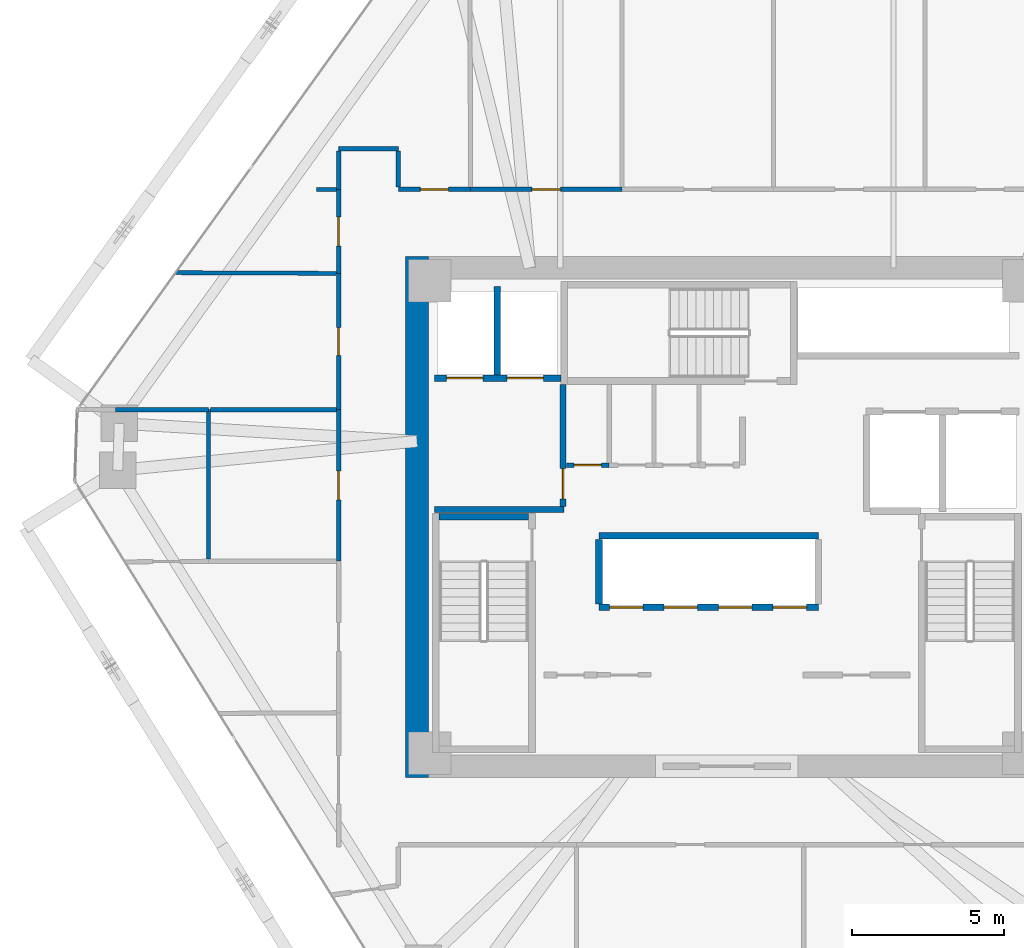
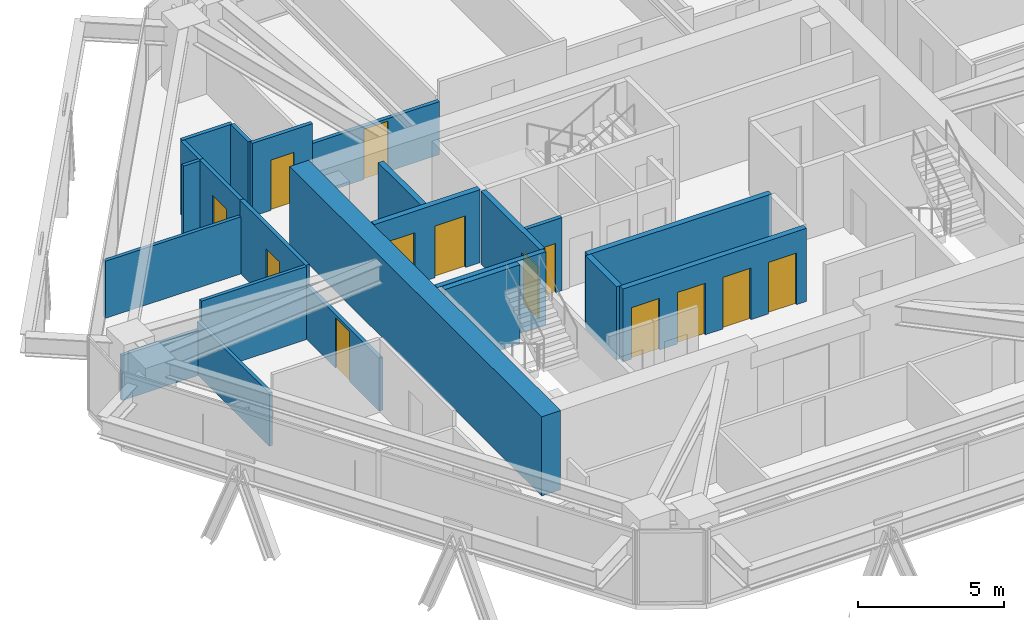
# One storey, part 13 of 16: 23 walls, 13 doors, 13 openings.
"""IFC4 building model written with IfcOpenShell, lengths in metres."""

from ifc_helpers import new_model, si_unit, direction, frame, frame_2d, origin, place, context, subcontext, project, spatial, rectangle, extrude, source, transform, mapped, material, layer, layer_set, type_object, type_shapes, element, fill, save


model = new_model("IFC4")

# Units and contexts
model_context = context("Model", 3, precision=1e-05, world=origin(), true_north=direction((0.0, 1.0)))
body_context = subcontext(model_context, "Body", "Model", "MODEL_VIEW")
ifc_project = project(units=[si_unit("LENGTHUNIT", "METRE"), si_unit("AREAUNIT", "SQUARE_METRE"), si_unit("VOLUMEUNIT", "CUBIC_METRE"), si_unit("PLANEANGLEUNIT", "RADIAN"), si_unit("MASSUNIT", "GRAM", prefix="KILO")], contexts=[model_context])

# Site, building, storey
site_placement = place(None, origin())
site = spatial("IfcSite", under=ifc_project, at=site_placement, CompositionType="ELEMENT")
building_placement = place(site_placement, origin())
building = spatial("IfcBuilding", under=site, at=building_placement, Name="Durnholm Broadcast Tower", CompositionType="ELEMENT")
storey_placement = place(building_placement, frame((0.0, 0.0, 123.89990234375)))
storey = spatial("IfcBuildingStorey", under=building, at=storey_placement, Name="L33", CompositionType="ELEMENT", Elevation=123.89990234375)

# Walls
ifc_material_1 = material(Name="Concrete C70/85", Category="concrete")
ifc_layer_1 = layer(ifc_material_1, 0.75)
ifc_layer_set_1 = layer_set([ifc_layer_1], Name="Concrete C70/85")
wall_type_1 = type_object("IfcWallType", Name="WALL-CW-750", PredefinedType="SHEAR", material=ifc_layer_set_1)
wall_1_placement = place(storey_placement, frame((-10.22509765625, -8.60009765625, 0.0), z_axis=(0.0, 0.0, 1.0), x_axis=(0.0, 1.0, 0.0)))
element("IfcWall", 1, at=wall_1_placement, inside=storey, type_object=wall_type_1, Name="L33 central core shear wall CW-WEST", PredefinedType="SHEAR", context=body_context, shape_type="SweptSolid", body=[
    extrude(rectangle(XDim=17.2001953125, YDim=0.75, at=frame_2d((8.60009765625, 0.0))), origin(), (0.0, 0.0, 1.0), 3.300048828125),
])
ifc_material_2 = material(Name="Fire-Rated Gypsum Shaftwall", Category="concrete")
ifc_layer_2 = layer(ifc_material_2, 0.199951171875)
ifc_layer_set_2 = layer_set([ifc_layer_2], Name="Fire-Rated Gypsum Shaftwall")
wall_type_2 = type_object("IfcWallType", Name="WALL-LOB-200", PredefinedType="SOLIDWALL", material=ifc_layer_set_2)
wall_2_placement = place(storey_placement, frame((-9.64990234375, 0.25, 0.0), z_axis=(0.0, 0.0, 1.0), x_axis=(1.0, 0.0, 0.0)))
element("IfcWall", 2, at=wall_2_placement, inside=storey, type_object=wall_type_2, Name="L33 Fire Service Access Elevator lobby south wall", PredefinedType="SOLIDWALL", context=body_context, shape_type="SweptSolid", body=[
    extrude(rectangle(XDim=4.27001953125, YDim=0.199951171875, at=frame_2d((2.135009765625, 0.0))), origin(), (0.0, 0.0, 1.0), 3.045166015625),
])

# Wall, opening, door
wall_3_placement = place(storey_placement, frame((-5.39990234375, 0.35400390625, 0.0), z_axis=(0.0, 0.0, 1.0), x_axis=(0.0, 1.0, 0.0)))
wall_3 = element("IfcWall", 3, at=wall_3_placement, inside=storey, type_object=wall_type_2, Name="L33 Fire Service Access Elevator lobby east fire wall", PredefinedType="SOLIDWALL", context=body_context, shape_type="SweptSolid", body=[
    extrude(rectangle(XDim=4.02587890625, YDim=0.199951171875, at=frame_2d((2.012939453125, 0.0))), origin(), (0.0, 0.0, 1.0), 3.045166015625),
])
opening_1_placement = place(wall_3_placement, frame((0.24609375, 0.0, 0.0)))
opening_1 = element("IfcOpeningElement", 4, at=opening_1_placement, cuts=wall_3, Name="Opening DL-60R", PredefinedType="OPENING", context=body_context, shape_type="SweptSolid", body=[
    extrude(rectangle(XDim=1.0, YDim=2.14990234375, at=frame_2d((0.5, 1.074951171875))), frame((0.0, 0.10986328125, 0.0), z_axis=(0.0, -1.0, 0.0), x_axis=(1.0, 0.0, 0.0)), (0.0, 0.0, 1.0), 0.219970703125),
])
ifc_material_3 = material(Name="Fire-Rated Timber/Steel Door", Category="steel")
ifc_layer_3 = layer(ifc_material_3, 0.050048828125)
ifc_layer_set_3 = layer_set([ifc_layer_3], Name="Fire-Rated Timber/Steel Door")
door_type_1 = type_object("IfcDoorType", Name="DOOR-LOB-FD60-R", OperationType="NOTDEFINED", PredefinedType="DOOR", material=ifc_layer_set_3)
shared_shape_1 = source(origin(), body_context, "Body", "SweptSolid", [
    extrude(rectangle(XDim=1.0, YDim=2.14990234375, at=frame_2d((0.5, 1.074951171875))), frame((0.0, 0.02490234375, 0.0), z_axis=(0.0, -1.0, 0.0), x_axis=(1.0, 0.0, 0.0)), (0.0, 0.0, 1.0), 0.050048828125),
])
type_shapes(door_type_1, [shared_shape_1])
door_1_placement = place(opening_1_placement, origin())
door_1 = element("IfcDoor", 5, at=door_1_placement, inside=storey, type_object=door_type_1, Name="L33 Fire Service Access Elevator lobby smoke door", OperationType="SINGLE_SWING_RIGHT", OverallHeight=2.14990234375, OverallWidth=1.0, PredefinedType="DOOR", context=body_context, shape_type="MappedRepresentation", body=[
    mapped(shared_shape_1, transform((0.0, 0.0, 0.0), x_axis=(1.0, 0.0, 0.0), y_axis=(0.0, 1.0, 0.0), z_axis=(0.0, 0.0, 1.0), scale=1.0)),
])
fill(opening_1, door_1)

# Walls
ifc_material_4 = material(Name="Gypsum Metal Stud Partition", Category="concrete")
ifc_layer_4 = layer(ifc_material_4, 0.135009765625)
ifc_layer_set_4 = layer_set([ifc_layer_4], Name="Gypsum Metal Stud Partition")
wall_type_3 = type_object("IfcWallType", Name="WALL-PART-135", PredefinedType="PARTITIONING", material=ifc_layer_set_4)
wall_4_placement = place(storey_placement, frame((-12.888916015625, 10.81005859375, 0.0), z_axis=(0.0, 0.0, 1.0), x_axis=(-1.0, 0.0, 0.0)))
element("IfcWall", 6, at=wall_4_placement, inside=storey, type_object=wall_type_3, Name="L33 room dividing partition 11.26", PredefinedType="PARTITIONING", context=body_context, shape_type="SweptSolid", body=[
    extrude(rectangle(XDim=0.651123046875, YDim=0.135009765625, at=frame_2d((0.32568359375, 0.0))), origin(), (0.0, 0.0, 1.0), 3.045166015625),
])
wall_5_placement = place(storey_placement, frame((-17.10302734375, 3.5400390625, 0.0), z_axis=(0.0, 0.0, 1.0), x_axis=(0.0, -1.0, 0.0)))
element("IfcWall", 7, at=wall_5_placement, inside=storey, type_object=wall_type_3, Name="L33 room dividing partition 23.24", PredefinedType="PARTITIONING", context=body_context, shape_type="SweptSolid", body=[
    extrude(rectangle(XDim=4.928466796875, YDim=0.135009765625, at=frame_2d((2.46435546875, 0.0))), origin(), (0.0, 0.0, 1.0), 2.212158203125),
])
wall_6_placement = place(storey_placement, frame((-20.175048828125, 3.541015625, 0.0), z_axis=(0.0, 0.0, 1.0), x_axis=(0.999999949473, -0.0003178892, 0.0)))
element("IfcWall", 8, at=wall_6_placement, inside=storey, type_object=wall_type_3, Name="L33 room dividing partition 23.25", PredefinedType="PARTITIONING", context=body_context, shape_type="SweptSolid", body=[
    extrude(rectangle(XDim=3.072021484375, YDim=0.135009765625, at=frame_2d((1.5361328125, 0.0))), origin(), (0.0, 0.0, 1.0), 1.877197265625),
])
wall_7_placement = place(storey_placement, frame((-17.031494140625, 3.5400390625, 0.0), z_axis=(0.0, 0.0, 1.0), x_axis=(1.0, 0.0, 0.0)))
element("IfcWall", 9, at=wall_7_placement, inside=storey, type_object=wall_type_3, Name="L33 room dividing partition 24.25", PredefinedType="PARTITIONING", context=body_context, shape_type="SweptSolid", body=[
    extrude(rectangle(XDim=4.142578125, YDim=0.135009765625, at=frame_2d((2.0712890625, 0.0))), origin(), (0.0, 0.0, 1.0), 3.045166015625),
])
wall_8_placement = place(storey_placement, frame((-18.201904296875, 8.063232421875, 0.0), z_axis=(0.0, 0.0, 1.0), x_axis=(0.999990671281, -0.004319415637, 0.0)))
element("IfcWall", 10, at=wall_8_placement, inside=storey, type_object=wall_type_3, Name="L33 room dividing partition 25.26", PredefinedType="PARTITIONING", context=body_context, shape_type="SweptSolid", body=[
    extrude(rectangle(XDim=5.31298828125, YDim=0.135009765625, at=frame_2d((2.656494140625, 0.0))), origin(), (0.0, 0.0, 1.0), 2.380126953125),
])

# Wall, opening, door
ifc_material_5 = material(Name="Acoustic Gypsum Stud Partition", Category="concrete")
ifc_layer_5 = layer(ifc_material_5, 0.14990234375)
ifc_layer_set_5 = layer_set([ifc_layer_5], Name="Acoustic Gypsum Stud Partition")
wall_type_4 = type_object("IfcWallType", Name="WALL-PART-150", PredefinedType="PARTITIONING", material=ifc_layer_set_5)
wall_9_placement = place(storey_placement, frame((-3.8798828125, 1.7099609375, 0.0), z_axis=(0.0, 0.0, 1.0), x_axis=(-1.0, 0.0, 0.0)))
wall_9 = element("IfcWall", 11, at=wall_9_placement, inside=storey, type_object=wall_type_4, Name="L33 Core First Aid Store corridor partition", PredefinedType="PARTITIONING", context=body_context, shape_type="SweptSolid", body=[
    extrude(rectangle(XDim=1.416015625, YDim=0.14990234375, at=frame_2d((0.7080078125, 0.0))), origin(), (0.0, 0.0, 1.0), 3.045166015625),
])
opening_2_placement = place(wall_9_placement, frame((0.258056640625, 0.0, 0.0)))
opening_2 = element("IfcOpeningElement", 12, at=opening_2_placement, cuts=wall_9, Name="Opening DC-60L", PredefinedType="OPENING", context=body_context, shape_type="SweptSolid", body=[
    extrude(rectangle(XDim=0.89990234375, YDim=2.050048828125, at=frame_2d((0.449951171875, 1.02490234375))), frame((0.0, 0.0849609375, 0.0), z_axis=(0.0, -1.0, 0.0), x_axis=(1.0, 0.0, 0.0)), (0.0, 0.0, 1.0), 0.169921875),
])
ifc_material_6 = material(Name="Fire-Rated Core Service Door", Category="steel")
ifc_layer_6 = layer(ifc_material_6, 0.050048828125)
ifc_layer_set_6 = layer_set([ifc_layer_6], Name="Fire-Rated Core Service Door")
door_type_2 = type_object("IfcDoorType", Name="DOOR-CORE-FD60-L", OperationType="NOTDEFINED", PredefinedType="DOOR", material=ifc_layer_set_6)
shared_shape_2 = source(origin(), body_context, "Body", "SweptSolid", [
    extrude(rectangle(XDim=0.89990234375, YDim=2.050048828125, at=frame_2d((0.449951171875, 1.02490234375))), frame((0.0, 0.02490234375, 0.0), z_axis=(0.0, -1.0, 0.0), x_axis=(1.0, 0.0, 0.0)), (0.0, 0.0, 1.0), 0.050048828125),
])
type_shapes(door_type_2, [shared_shape_2])
door_2_placement = place(opening_2_placement, origin())
door_2 = element("IfcDoor", 13, at=door_2_placement, inside=storey, type_object=door_type_2, Name="L33 Core First Aid Store entrance door", OperationType="SINGLE_SWING_LEFT", OverallHeight=2.050048828125, OverallWidth=0.89990234375, PredefinedType="DOOR", context=body_context, shape_type="MappedRepresentation", body=[
    mapped(shared_shape_2, transform((0.0, 0.0, 0.0), x_axis=(1.0, 0.0, 0.0), y_axis=(0.0, 1.0, 0.0), z_axis=(0.0, 0.0, 1.0), scale=1.0)),
])
fill(opening_2, door_2)

wall_10_placement = place(storey_placement, frame((-8.4599609375, 10.81005859375, 0.0), z_axis=(0.0, 0.0, 1.0), x_axis=(-1.0, 0.0, 0.0)))
wall_10 = element("IfcWall", 14, at=wall_10_placement, inside=storey, type_object=wall_type_4, Name="L33 Radio Broadcast Hall corridor partition", PredefinedType="PARTITIONING", context=body_context, shape_type="SweptSolid", body=[
    extrude(rectangle(XDim=2.380126953125, YDim=0.14990234375, at=frame_2d((1.18994140625, 0.0))), origin(), (0.0, 0.0, 1.0), 3.045166015625),
])
opening_3_placement = place(wall_10_placement, frame((0.72998046875, 0.0, 0.0)))
opening_3 = element("IfcOpeningElement", 15, at=opening_3_placement, cuts=wall_10, Name="Opening DR-92R", PredefinedType="OPENING", context=body_context, shape_type="SweptSolid", body=[
    extrude(rectangle(XDim=0.919921875, YDim=2.10009765625, at=frame_2d((0.4599609375, 1.050048828125))), frame((0.0, 0.0849609375, 0.0), z_axis=(0.0, -1.0, 0.0), x_axis=(1.0, 0.0, 0.0)), (0.0, 0.0, 1.0), 0.169921875),
])
ifc_material_7 = material(Name="Oak Veneer Office Door", Category="wood")
ifc_layer_7 = layer(ifc_material_7, 0.050048828125)
ifc_layer_set_7 = layer_set([ifc_layer_7], Name="Oak Veneer Office Door")
door_type_3 = type_object("IfcDoorType", Name="DOOR-RM-920R", OperationType="NOTDEFINED", PredefinedType="DOOR", material=ifc_layer_set_7)
shared_shape_3 = source(origin(), body_context, "Body", "SweptSolid", [
    extrude(rectangle(XDim=0.919921875, YDim=2.10009765625, at=frame_2d((0.4599609375, 1.050048828125))), frame((0.0, 0.02490234375, 0.0), z_axis=(0.0, -1.0, 0.0), x_axis=(1.0, 0.0, 0.0)), (0.0, 0.0, 1.0), 0.050048828125),
])
type_shapes(door_type_3, [shared_shape_3])
door_3_placement = place(opening_3_placement, origin())
door_3 = element("IfcDoor", 16, at=door_3_placement, inside=storey, type_object=door_type_3, Name="L33 Radio Broadcast Hall entrance door", OperationType="SINGLE_SWING_RIGHT", OverallHeight=2.10009765625, OverallWidth=0.919921875, PredefinedType="DOOR", context=body_context, shape_type="MappedRepresentation", body=[
    mapped(shared_shape_3, transform((0.0, 0.0, 0.0), x_axis=(1.0, 0.0, 0.0), y_axis=(0.0, 1.0, 0.0), z_axis=(0.0, 0.0, 1.0), scale=1.0)),
])
fill(opening_3, door_3)

# Walls
wall_11_placement = place(storey_placement, frame((-10.840087890625, 12.159912109375, 0.0), z_axis=(0.0, 0.0, 1.0), x_axis=(-1.0, 0.0, 0.0)))
element("IfcWall", 17, at=wall_11_placement, inside=storey, type_object=wall_type_4, Name="L33 Radio Broadcast Hall corridor partition", PredefinedType="PARTITIONING", context=body_context, shape_type="SweptSolid", body=[
    extrude(rectangle(XDim=1.969970703125, YDim=0.14990234375, at=frame_2d((0.98486328125, 0.0))), origin(), (0.0, 0.0, 1.0), 3.045166015625),
])
wall_12_placement = place(storey_placement, frame((-10.840087890625, 10.888916015625, 0.0), z_axis=(0.0, 0.0, 1.0), x_axis=(0.0, 1.0, 0.0)))
element("IfcWall", 18, at=wall_12_placement, inside=storey, type_object=wall_type_4, Name="L33 Radio Broadcast Hall corridor partition", PredefinedType="PARTITIONING", context=body_context, shape_type="SweptSolid", body=[
    extrude(rectangle(XDim=1.192138671875, YDim=0.14990234375, at=frame_2d((0.59619140625, 0.0))), origin(), (0.0, 0.0, 1.0), 3.045166015625),
])
wall_13_placement = place(storey_placement, frame((-12.81005859375, 12.0810546875, 0.0), z_axis=(0.0, 0.0, 1.0), x_axis=(0.0, -1.0, 0.0)))
element("IfcWall", 19, at=wall_13_placement, inside=storey, type_object=wall_type_4, Name="L33 Radio Broadcast Hall corridor partition", PredefinedType="PARTITIONING", context=body_context, shape_type="SweptSolid", body=[
    extrude(rectangle(XDim=1.27099609375, YDim=0.14990234375, at=frame_2d((0.635498046875, 0.0))), origin(), (0.0, 0.0, 1.0), 3.045166015625),
])

# Wall, opening, door
wall_14_placement = place(storey_placement, frame((-3.4599609375, 10.81005859375, 0.0), z_axis=(0.0, 0.0, 1.0), x_axis=(-1.0, 0.0, 0.0)))
wall_14 = element("IfcWall", 20, at=wall_14_placement, inside=storey, type_object=wall_type_4, Name="L33 Mastering Screening Auditorium corridor partition", PredefinedType="PARTITIONING", context=body_context, shape_type="SweptSolid", body=[
    extrude(rectangle(XDim=5.0, YDim=0.14990234375, at=frame_2d((2.5, 0.0))), origin(), (0.0, 0.0, 1.0), 2.212158203125),
])
opening_4_placement = place(wall_14_placement, frame((2.02490234375, 0.0, 0.0)))
opening_4 = element("IfcOpeningElement", 21, at=opening_4_placement, cuts=wall_14, Name="Opening DR-95L", PredefinedType="OPENING", context=body_context, shape_type="SweptSolid", body=[
    extrude(rectangle(XDim=0.949951171875, YDim=2.10009765625, at=frame_2d((0.47509765625, 1.050048828125))), frame((0.0, 0.0849609375, 0.0), z_axis=(0.0, -1.0, 0.0), x_axis=(1.0, 0.0, 0.0)), (0.0, 0.0, 1.0), 0.169921875),
])
ifc_material_8 = material(Name="Acoustic Oak Veneer Timber Door", Category="wood")
ifc_layer_8 = layer(ifc_material_8, 0.050048828125)
ifc_layer_set_8 = layer_set([ifc_layer_8], Name="Acoustic Oak Veneer Timber Door")
door_type_4 = type_object("IfcDoorType", Name="DOOR-RM-950L", OperationType="NOTDEFINED", PredefinedType="DOOR", material=ifc_layer_set_8)
shared_shape_4 = source(origin(), body_context, "Body", "SweptSolid", [
    extrude(rectangle(XDim=0.949951171875, YDim=2.10009765625, at=frame_2d((0.47509765625, 1.050048828125))), frame((0.0, 0.02490234375, 0.0), z_axis=(0.0, -1.0, 0.0), x_axis=(1.0, 0.0, 0.0)), (0.0, 0.0, 1.0), 0.050048828125),
])
type_shapes(door_type_4, [shared_shape_4])
door_4_placement = place(opening_4_placement, origin())
door_4 = element("IfcDoor", 22, at=door_4_placement, inside=storey, type_object=door_type_4, Name="L33 Mastering Screening Auditorium entrance door", OperationType="SINGLE_SWING_LEFT", OverallHeight=2.10009765625, OverallWidth=0.949951171875, PredefinedType="DOOR", context=body_context, shape_type="MappedRepresentation", body=[
    mapped(shared_shape_4, transform((0.0, 0.0, 0.0), x_axis=(1.0, 0.0, 0.0), y_axis=(0.0, 1.0, 0.0), z_axis=(0.0, 0.0, 1.0), scale=1.0)),
])
fill(opening_4, door_4)

wall_15_placement = place(storey_placement, frame((-12.81005859375, 3.5400390625, 0.0), z_axis=(0.0, 0.0, 1.0), x_axis=(0.0, -1.0, 0.0)))
wall_15 = element("IfcWall", 23, at=wall_15_placement, inside=storey, type_object=wall_type_4, Name="L33 Acoustic Meeting Room 1 corridor partition", PredefinedType="PARTITIONING", context=body_context, shape_type="SweptSolid", body=[
    extrude(rectangle(XDim=5.0, YDim=0.14990234375, at=frame_2d((2.5, 0.0))), origin(), (0.0, 0.0, 1.0), 2.212158203125),
])
opening_5_placement = place(wall_15_placement, frame((2.02490234375, 0.0, 0.0)))
opening_5 = element("IfcOpeningElement", 24, at=opening_5_placement, cuts=wall_15, Name="Opening DR-95R", PredefinedType="OPENING", context=body_context, shape_type="SweptSolid", body=[
    extrude(rectangle(XDim=0.949951171875, YDim=2.10009765625, at=frame_2d((0.47509765625, 1.050048828125))), frame((0.0, 0.0849609375, 0.0), z_axis=(0.0, -1.0, 0.0), x_axis=(1.0, 0.0, 0.0)), (0.0, 0.0, 1.0), 0.169921875),
])
ifc_layer_9 = layer(ifc_material_8, 0.050048828125)
ifc_layer_set_9 = layer_set([ifc_layer_9], Name="Acoustic Oak Veneer Timber Door")
door_type_5 = type_object("IfcDoorType", Name="DOOR-RM-950R", OperationType="NOTDEFINED", PredefinedType="DOOR", material=ifc_layer_set_9)
shared_shape_5 = source(origin(), body_context, "Body", "SweptSolid", [
    extrude(rectangle(XDim=0.949951171875, YDim=2.10009765625, at=frame_2d((0.47509765625, 1.050048828125))), frame((0.0, 0.02490234375, 0.0), z_axis=(0.0, -1.0, 0.0), x_axis=(1.0, 0.0, 0.0)), (0.0, 0.0, 1.0), 0.050048828125),
])
type_shapes(door_type_5, [shared_shape_5])
door_5_placement = place(opening_5_placement, origin())
door_5 = element("IfcDoor", 25, at=door_5_placement, inside=storey, type_object=door_type_5, Name="L33 Acoustic Meeting Room 1 entrance door", OperationType="SINGLE_SWING_RIGHT", OverallHeight=2.10009765625, OverallWidth=0.949951171875, PredefinedType="DOOR", context=body_context, shape_type="MappedRepresentation", body=[
    mapped(shared_shape_5, transform((0.0, 0.0, 0.0), x_axis=(1.0, 0.0, 0.0), y_axis=(0.0, 1.0, 0.0), z_axis=(0.0, 0.0, 1.0), scale=1.0)),
])
fill(opening_5, door_5)

wall_16_placement = place(storey_placement, frame((-12.81005859375, 8.0400390625, 0.0), z_axis=(0.0, 0.0, 1.0), x_axis=(0.0, -1.0, 0.0)))
wall_16 = element("IfcWall", 26, at=wall_16_placement, inside=storey, type_object=wall_type_4, Name="L33 Acoustic Meeting Room 2 corridor partition", PredefinedType="PARTITIONING", context=body_context, shape_type="SweptSolid", body=[
    extrude(rectangle(XDim=4.5, YDim=0.14990234375, at=frame_2d((2.25, 0.0))), origin(), (0.0, 0.0, 1.0), 3.045166015625),
])
opening_6_placement = place(wall_16_placement, frame((1.7900390625, 0.0, 0.0)))
opening_6 = element("IfcOpeningElement", 27, at=opening_6_placement, cuts=wall_16, Name="Opening DR-92L", PredefinedType="OPENING", context=body_context, shape_type="SweptSolid", body=[
    extrude(rectangle(XDim=0.919921875, YDim=2.10009765625, at=frame_2d((0.4599609375, 1.050048828125))), frame((0.0, 0.0849609375, 0.0), z_axis=(0.0, -1.0, 0.0), x_axis=(1.0, 0.0, 0.0)), (0.0, 0.0, 1.0), 0.169921875),
])
ifc_layer_10 = layer(ifc_material_7, 0.050048828125)
ifc_layer_set_10 = layer_set([ifc_layer_10], Name="Oak Veneer Office Door")
door_type_6 = type_object("IfcDoorType", Name="DOOR-RM-920L", OperationType="NOTDEFINED", PredefinedType="DOOR", material=ifc_layer_set_10)
shared_shape_6 = source(origin(), body_context, "Body", "SweptSolid", [
    extrude(rectangle(XDim=0.919921875, YDim=2.10009765625, at=frame_2d((0.4599609375, 1.050048828125))), frame((0.0, 0.02490234375, 0.0), z_axis=(0.0, -1.0, 0.0), x_axis=(1.0, 0.0, 0.0)), (0.0, 0.0, 1.0), 0.050048828125),
])
type_shapes(door_type_6, [shared_shape_6])
door_6_placement = place(opening_6_placement, origin())
door_6 = element("IfcDoor", 28, at=door_6_placement, inside=storey, type_object=door_type_6, Name="L33 Acoustic Meeting Room 2 entrance door", OperationType="SINGLE_SWING_LEFT", OverallHeight=2.10009765625, OverallWidth=0.919921875, PredefinedType="DOOR", context=body_context, shape_type="MappedRepresentation", body=[
    mapped(shared_shape_6, transform((0.0, 0.0, 0.0), x_axis=(1.0, 0.0, 0.0), y_axis=(0.0, 1.0, 0.0), z_axis=(0.0, 0.0, 1.0), scale=1.0)),
])
fill(opening_6, door_6)

wall_17_placement = place(storey_placement, frame((-12.81005859375, 10.81005859375, 0.0), z_axis=(0.0, 0.0, 1.0), x_axis=(0.0, -1.0, 0.0)))
wall_17 = element("IfcWall", 29, at=wall_17_placement, inside=storey, type_object=wall_type_4, Name="L33 Broadcast Kitchen corridor partition", PredefinedType="PARTITIONING", context=body_context, shape_type="SweptSolid", body=[
    extrude(rectangle(XDim=2.77001953125, YDim=0.14990234375, at=frame_2d((1.385009765625, 0.0))), origin(), (0.0, 0.0, 1.0), 3.045166015625),
])
opening_7_placement = place(wall_17_placement, frame((0.909912109375, 0.0, 0.0)))
opening_7 = element("IfcOpeningElement", 30, at=opening_7_placement, cuts=wall_17, Name="Opening DR-95R", PredefinedType="OPENING", context=body_context, shape_type="SweptSolid", body=[
    extrude(rectangle(XDim=0.949951171875, YDim=2.10009765625, at=frame_2d((0.47509765625, 1.050048828125))), frame((0.0, 0.0849609375, 0.0), z_axis=(0.0, -1.0, 0.0), x_axis=(1.0, 0.0, 0.0)), (0.0, 0.0, 1.0), 0.169921875),
])
door_7_placement = place(opening_7_placement, origin())
door_7 = element("IfcDoor", 31, at=door_7_placement, inside=storey, type_object=door_type_5, Name="L33 Broadcast Kitchen entrance door", OperationType="SINGLE_SWING_RIGHT", OverallHeight=2.10009765625, OverallWidth=0.949951171875, PredefinedType="DOOR", context=body_context, shape_type="MappedRepresentation", body=[
    mapped(shared_shape_5, transform((0.0, 0.0, 0.0), x_axis=(1.0, 0.0, 0.0), y_axis=(0.0, 1.0, 0.0), z_axis=(0.0, 0.0, 1.0), scale=1.0)),
])
fill(opening_7, door_7)

# Wall, openings, doors
ifc_material_9 = material(Name="Concrete Blockwork C30/37", Category="masonry")
ifc_layer_11 = layer(ifc_material_9, 0.219970703125)
ifc_layer_set_11 = layer_set([ifc_layer_11], Name="Concrete Blockwork C30/37")
wall_type_5 = type_object("IfcWallType", Name="WALL-SHAFT-220", PredefinedType="SOLIDWALL", material=ifc_layer_set_11)
wall_18_placement = place(storey_placement, frame((-9.64990234375, 4.580078125, 0.0), z_axis=(0.0, 0.0, 1.0), x_axis=(1.0, 0.0, 0.0)))
wall_18 = element("IfcWall", 32, at=wall_18_placement, inside=storey, type_object=wall_type_5, Name="L33 FSAE hoistway front fire wall", PredefinedType="SOLIDWALL", context=body_context, shape_type="SweptSolid", body=[
    extrude(rectangle(XDim=4.1748046875, YDim=0.219970703125, at=frame_2d((2.08740234375, 0.0))), origin(), (0.0, 0.0, 1.0), 3.045166015625),
])
opening_8_placement = place(wall_18_placement, frame((0.39990234375, 0.0, 0.0)))
opening_8 = element("IfcOpeningElement", 33, at=opening_8_placement, cuts=wall_18, Name="Opening LD-FSAE-2", PredefinedType="OPENING", context=body_context, shape_type="SweptSolid", body=[
    extrude(rectangle(XDim=1.199951171875, YDim=2.14990234375, at=frame_2d((0.60009765625, 1.074951171875))), frame((0.0, 0.1201171875, 0.0), z_axis=(0.0, -1.0, 0.0), x_axis=(1.0, 0.0, 0.0)), (0.0, 0.0, 1.0), 0.239990234375),
])
opening_9_placement = place(wall_18_placement, frame((2.39990234375, 0.0, 0.0)))
opening_9 = element("IfcOpeningElement", 34, at=opening_9_placement, cuts=wall_18, Name="Opening LD-FSAE-1", PredefinedType="OPENING", context=body_context, shape_type="SweptSolid", body=[
    extrude(rectangle(XDim=1.199951171875, YDim=2.14990234375, at=frame_2d((0.60009765625, 1.074951171875))), frame((0.0, 0.1201171875, 0.0), z_axis=(0.0, -1.0, 0.0), x_axis=(1.0, 0.0, 0.0)), (0.0, 0.0, 1.0), 0.239990234375),
])
ifc_material_10 = material(Name="Fire Service Access Sliding Landing Door", Category="steel")
ifc_layer_12 = layer(ifc_material_10, 0.050048828125)
ifc_layer_set_12 = layer_set([ifc_layer_12], Name="Fire Service Access Sliding Landing Door")
door_type_7 = type_object("IfcDoorType", Name="DOOR-LIFT-FSAE", OperationType="DOUBLE_DOOR_SLIDING", PredefinedType="DOOR", material=ifc_layer_set_12)
shared_shape_7 = source(origin(), body_context, "Body", "SweptSolid", [
    extrude(rectangle(XDim=1.199951171875, YDim=2.14990234375, at=frame_2d((0.60009765625, 1.074951171875))), frame((0.0, 0.02490234375, 0.0), z_axis=(0.0, -1.0, 0.0), x_axis=(1.0, 0.0, 0.0)), (0.0, 0.0, 1.0), 0.050048828125),
])
type_shapes(door_type_7, [shared_shape_7])
door_8_placement = place(opening_8_placement, origin())
door_8 = element("IfcDoor", 35, at=door_8_placement, inside=storey, type_object=door_type_7, Name="L33 Fire Service Access Elevator FSAE-2 sliding landing door", OperationType="DOUBLE_DOOR_SLIDING", OverallHeight=2.14990234375, OverallWidth=1.199951171875, PredefinedType="DOOR", context=body_context, shape_type="MappedRepresentation", body=[
    mapped(shared_shape_7, transform((0.0, 0.0, 0.0), x_axis=(1.0, 0.0, 0.0), y_axis=(0.0, 1.0, 0.0), z_axis=(0.0, 0.0, 1.0), scale=1.0)),
])
fill(opening_8, door_8)
door_9_placement = place(opening_9_placement, origin())
door_9 = element("IfcDoor", 36, at=door_9_placement, inside=storey, type_object=door_type_7, Name="L33 Fire Service Access Elevator FSAE-1 sliding landing door", OperationType="DOUBLE_DOOR_SLIDING", OverallHeight=2.14990234375, OverallWidth=1.199951171875, PredefinedType="DOOR", context=body_context, shape_type="MappedRepresentation", body=[
    mapped(shared_shape_7, transform((0.0, 0.0, 0.0), x_axis=(1.0, 0.0, 0.0), y_axis=(0.0, 1.0, 0.0), z_axis=(0.0, 0.0, 1.0), scale=1.0)),
])
fill(opening_9, door_9)

# Wall
wall_19_placement = place(storey_placement, frame((-7.580078125, 4.694091796875, 0.0), z_axis=(0.0, 0.0, 1.0), x_axis=(0.0, 1.0, 0.0)))
element("IfcWall", 37, at=wall_19_placement, inside=storey, type_object=wall_type_5, Name="L33 FSAE shaft divider wall", PredefinedType="SOLIDWALL", context=body_context, shape_type="SweptSolid", body=[
    extrude(rectangle(XDim=2.906005859375, YDim=0.219970703125, at=frame_2d((1.453125, 0.0))), origin(), (0.0, 0.0, 1.0), 3.045166015625),
])

# Wall, openings, doors
wall_20_placement = place(storey_placement, frame((-4.219970703125, -2.97998046875, 0.0), z_axis=(0.0, 0.0, 1.0), x_axis=(1.0, 0.0, 0.0)))
wall_20 = element("IfcWall", 38, at=wall_20_placement, inside=storey, type_object=wall_type_5, Name="L33 mid-rise bank P2 south front wall", PredefinedType="SOLIDWALL", context=body_context, shape_type="SweptSolid", body=[
    extrude(rectangle(XDim=7.239990234375, YDim=0.219970703125, at=frame_2d((3.6201171875, 0.0))), origin(), (0.0, 0.0, 1.0), 3.045166015625),
])
opening_10_placement = place(wall_20_placement, frame((0.35009765625, 0.0, 0.0)))
opening_10 = element("IfcOpeningElement", 39, at=opening_10_placement, cuts=wall_20, Name="Opening LD-LP2-1", PredefinedType="OPENING", context=body_context, shape_type="SweptSolid", body=[
    extrude(rectangle(XDim=1.10009765625, YDim=2.14990234375, at=frame_2d((0.550048828125, 1.074951171875))), frame((0.0, 0.1201171875, 0.0), z_axis=(0.0, -1.0, 0.0), x_axis=(1.0, 0.0, 0.0)), (0.0, 0.0, 1.0), 0.239990234375),
])
opening_11_placement = place(wall_20_placement, frame((2.14990234375, 0.0, 0.0)))
opening_11 = element("IfcOpeningElement", 40, at=opening_11_placement, cuts=wall_20, Name="Opening LD-LP2-2", PredefinedType="OPENING", context=body_context, shape_type="SweptSolid", body=[
    extrude(rectangle(XDim=1.10009765625, YDim=2.14990234375, at=frame_2d((0.550048828125, 1.074951171875))), frame((0.0, 0.1201171875, 0.0), z_axis=(0.0, -1.0, 0.0), x_axis=(1.0, 0.0, 0.0)), (0.0, 0.0, 1.0), 0.239990234375),
])
opening_12_placement = place(wall_20_placement, frame((3.949951171875, 0.0, 0.0)))
opening_12 = element("IfcOpeningElement", 41, at=opening_12_placement, cuts=wall_20, Name="Opening LD-LP2-3", PredefinedType="OPENING", context=body_context, shape_type="SweptSolid", body=[
    extrude(rectangle(XDim=1.10009765625, YDim=2.14990234375, at=frame_2d((0.550048828125, 1.074951171875))), frame((0.0, 0.1201171875, 0.0), z_axis=(0.0, -1.0, 0.0), x_axis=(1.0, 0.0, 0.0)), (0.0, 0.0, 1.0), 0.239990234375),
])
opening_13_placement = place(wall_20_placement, frame((5.75, 0.0, 0.0)))
opening_13 = element("IfcOpeningElement", 42, at=opening_13_placement, cuts=wall_20, Name="Opening LD-LP2-4", PredefinedType="OPENING", context=body_context, shape_type="SweptSolid", body=[
    extrude(rectangle(XDim=1.10009765625, YDim=2.14990234375, at=frame_2d((0.550048828125, 1.074951171875))), frame((0.0, 0.1201171875, 0.0), z_axis=(0.0, -1.0, 0.0), x_axis=(1.0, 0.0, 0.0)), (0.0, 0.0, 1.0), 0.239990234375),
])
ifc_material_11 = material(Name="Stainless Steel Sliding Elevator Landing Door", Category="steel")
ifc_layer_13 = layer(ifc_material_11, 0.050048828125)
ifc_layer_set_13 = layer_set([ifc_layer_13], Name="Stainless Steel Sliding Elevator Landing Door")
door_type_8 = type_object("IfcDoorType", Name="DOOR-LIFT-PAX", OperationType="DOUBLE_DOOR_SLIDING", PredefinedType="DOOR", material=ifc_layer_set_13)
shared_shape_8 = source(origin(), body_context, "Body", "SweptSolid", [
    extrude(rectangle(XDim=1.10009765625, YDim=2.14990234375, at=frame_2d((0.550048828125, 1.074951171875))), frame((0.0, 0.02490234375, 0.0), z_axis=(0.0, -1.0, 0.0), x_axis=(1.0, 0.0, 0.0)), (0.0, 0.0, 1.0), 0.050048828125),
])
type_shapes(door_type_8, [shared_shape_8])
door_10_placement = place(opening_10_placement, origin())
door_10 = element("IfcDoor", 43, at=door_10_placement, inside=storey, type_object=door_type_8, Name="L33 passenger elevator LP2-1 sliding landing door", OperationType="DOUBLE_DOOR_SLIDING", OverallHeight=2.14990234375, OverallWidth=1.10009765625, PredefinedType="DOOR", context=body_context, shape_type="MappedRepresentation", body=[
    mapped(shared_shape_8, transform((0.0, 0.0, 0.0), x_axis=(1.0, 0.0, 0.0), y_axis=(0.0, 1.0, 0.0), z_axis=(0.0, 0.0, 1.0), scale=1.0)),
])
fill(opening_10, door_10)
door_11_placement = place(opening_11_placement, origin())
door_11 = element("IfcDoor", 44, at=door_11_placement, inside=storey, type_object=door_type_8, Name="L33 passenger elevator LP2-2 sliding landing door", OperationType="DOUBLE_DOOR_SLIDING", OverallHeight=2.14990234375, OverallWidth=1.10009765625, PredefinedType="DOOR", context=body_context, shape_type="MappedRepresentation", body=[
    mapped(shared_shape_8, transform((0.0, 0.0, 0.0), x_axis=(1.0, 0.0, 0.0), y_axis=(0.0, 1.0, 0.0), z_axis=(0.0, 0.0, 1.0), scale=1.0)),
])
fill(opening_11, door_11)
door_12_placement = place(opening_12_placement, origin())
door_12 = element("IfcDoor", 45, at=door_12_placement, inside=storey, type_object=door_type_8, Name="L33 passenger elevator LP2-3 sliding landing door", OperationType="DOUBLE_DOOR_SLIDING", OverallHeight=2.14990234375, OverallWidth=1.10009765625, PredefinedType="DOOR", context=body_context, shape_type="MappedRepresentation", body=[
    mapped(shared_shape_8, transform((0.0, 0.0, 0.0), x_axis=(1.0, 0.0, 0.0), y_axis=(0.0, 1.0, 0.0), z_axis=(0.0, 0.0, 1.0), scale=1.0)),
])
fill(opening_12, door_12)
door_13_placement = place(opening_13_placement, origin())
door_13 = element("IfcDoor", 46, at=door_13_placement, inside=storey, type_object=door_type_8, Name="L33 passenger elevator LP2-4 sliding landing door", OperationType="DOUBLE_DOOR_SLIDING", OverallHeight=2.14990234375, OverallWidth=1.10009765625, PredefinedType="DOOR", context=body_context, shape_type="MappedRepresentation", body=[
    mapped(shared_shape_8, transform((0.0, 0.0, 0.0), x_axis=(1.0, 0.0, 0.0), y_axis=(0.0, 1.0, 0.0), z_axis=(0.0, 0.0, 1.0), scale=1.0)),
])
fill(opening_13, door_13)

# Walls
wall_21_placement = place(storey_placement, frame((-4.219970703125, -0.6201171875, 0.0), z_axis=(0.0, 0.0, 1.0), x_axis=(1.0, 0.0, 0.0)))
element("IfcWall", 47, at=wall_21_placement, inside=storey, type_object=wall_type_5, Name="L33 mid-rise bank P2 north shaft wall", PredefinedType="SOLIDWALL", context=body_context, shape_type="SweptSolid", body=[
    extrude(rectangle(XDim=7.239990234375, YDim=0.219970703125, at=frame_2d((3.6201171875, 0.0))), origin(), (0.0, 0.0, 1.0), 3.045166015625),
])
wall_22_placement = place(storey_placement, frame((-4.219970703125, -2.865966796875, 0.0), z_axis=(0.0, 0.0, 1.0), x_axis=(0.0, 1.0, 0.0)))
element("IfcWall", 48, at=wall_22_placement, inside=storey, type_object=wall_type_5, Name="L33 mid-rise bank P2 west shaft wall", PredefinedType="SOLIDWALL", context=body_context, shape_type="SweptSolid", body=[
    extrude(rectangle(XDim=2.132080078125, YDim=0.219970703125, at=frame_2d((1.06591796875, 0.0))), origin(), (0.0, 0.0, 1.0), 3.045166015625),
])
ifc_material_12 = material(Name="Concrete C50/60", Category="concrete")
ifc_layer_14 = layer(ifc_material_12, 0.219970703125)
ifc_layer_set_14 = layer_set([ifc_layer_14], Name="Concrete C50/60")
wall_type_6 = type_object("IfcWallType", Name="WALL-SW-220", PredefinedType="SHEAR", material=ifc_layer_set_14)
wall_23_placement = place(storey_placement, frame((-6.5400390625, 0.010009765625, -0.239990234375), z_axis=(0.0, 0.0, 1.0), x_axis=(-1.0, 0.0, 0.0)))
element("IfcWall", 49, at=wall_23_placement, inside=storey, type_object=wall_type_6, Name="L33 stair ST-1 structural shaft wall N", PredefinedType="SHEAR", context=body_context, shape_type="SweptSolid", body=[
    extrude(rectangle(XDim=2.9599609375, YDim=0.219970703125, at=frame_2d((1.47998046875, 0.0))), origin(), (0.0, 0.0, 1.0), 3.300048828125),
])

save(model, "model.ifc")
